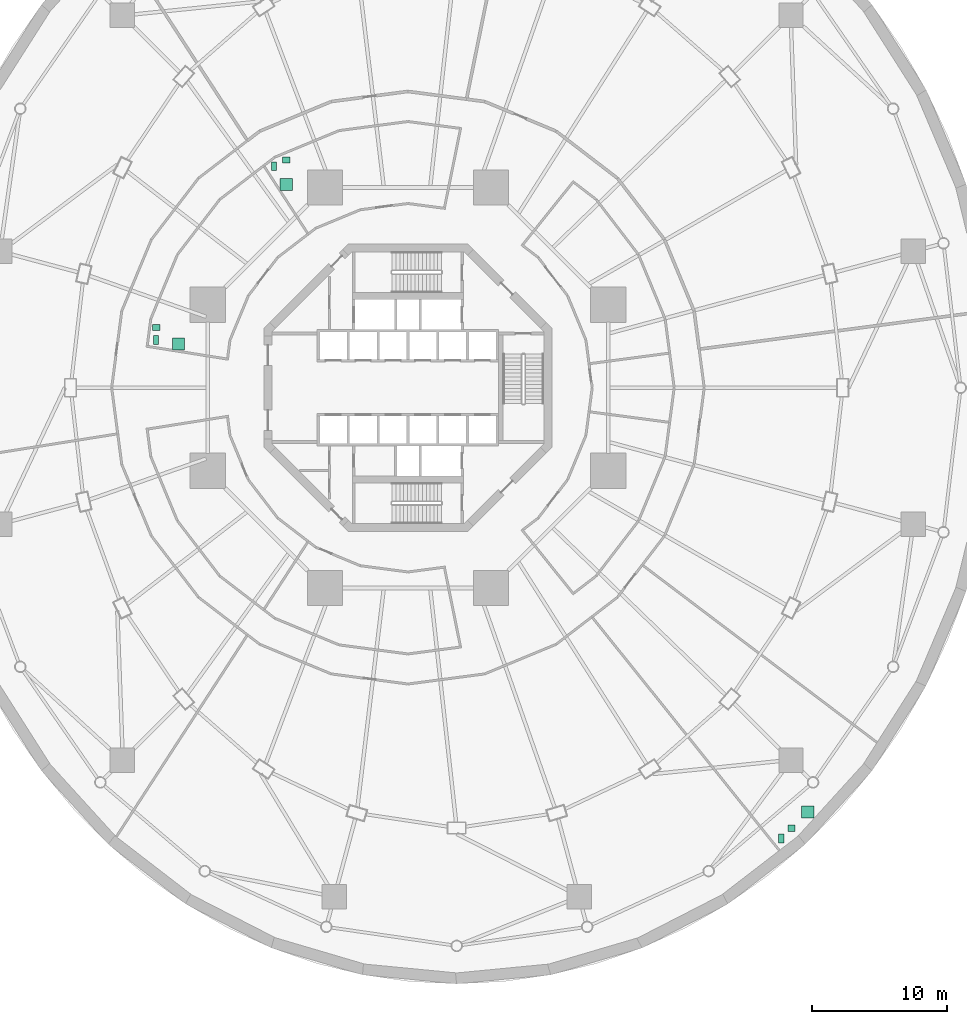
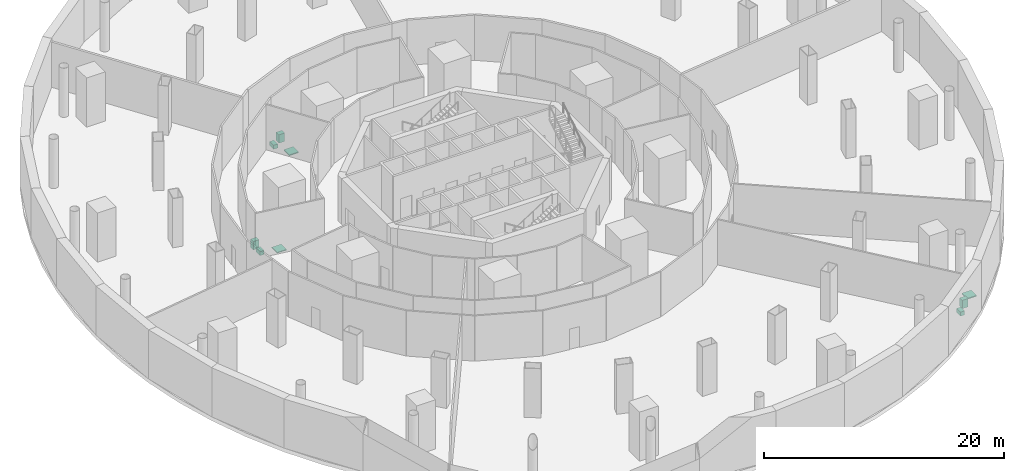
# One storey, part 14 of 14: 9 sanitary terminals.
"""IFC4 building model written with IfcOpenShell, lengths in metres."""

from ifc_helpers import new_model, si_unit, direction, frame, origin, origin_2d, place, context, subcontext, project, spatial, rectangle, extrude, material, type_object, element, save


model = new_model("IFC4")

# Units and contexts
model_context = context("Model", 3, precision=1e-05, world=origin(), true_north=direction((0.0, 1.0)))
body_context = subcontext(model_context, "Body", "Model", "MODEL_VIEW")
ifc_project = project(units=[si_unit("LENGTHUNIT", "METRE"), si_unit("AREAUNIT", "SQUARE_METRE"), si_unit("VOLUMEUNIT", "CUBIC_METRE"), si_unit("PLANEANGLEUNIT", "RADIAN"), si_unit("MASSUNIT", "GRAM", prefix="KILO")], contexts=[model_context])

# Site, building, storey
site_placement = place(None, origin())
site = spatial("IfcSite", under=ifc_project, at=site_placement, CompositionType="ELEMENT")
building_placement = place(site_placement, origin())
building = spatial("IfcBuilding", under=site, at=building_placement, Name="Nagisa Residences", CompositionType="ELEMENT")
storey_placement = place(building_placement, frame((0.0, 0.0, -5.0)))
storey = spatial("IfcBuildingStorey", under=building, at=storey_placement, Name="B1", CompositionType="ELEMENT", Elevation=-5.0)

# Sanitary terminals
ifc_material_1 = material(Name="Acrylic")
sanitary_terminal_type_1 = type_object("IfcSanitaryTerminalType", Name="Shower tray", PredefinedType="SHOWER", material=ifc_material_1)
for number, where, z_axis, x_axis, name in (
    (1, (-8.989990234375, 14.9970703125, 0.0), (0.0, 0.0, 1.0), (1.0, 0.0, 0.0), "fix:B1:r2:shower"),
    (2, (-16.946044921875, 3.23193359375, 0.0), (0.0, 0.0, 1.0), (1.0, 0.0, 0.0), "fix:B1:r3:shower"),
    (3, (29.513916015625, -31.321044921875, 0.0), (0.0, 0.0, 1.0), (1.0, 0.0, 0.0), "fix:B1:o5:shower"),
):
    element("IfcSanitaryTerminal", number, at=place(storey_placement, frame(where, z_axis=z_axis, x_axis=x_axis)), inside=storey, type_object=sanitary_terminal_type_1, Name=name, PredefinedType="SHOWER", context=body_context, shape_type="SweptSolid", body=[
        extrude(rectangle(XDim=0.89990234375, YDim=0.89990234375, at=origin_2d()), origin(), (0.0, 0.0, 1.0), 0.10009765625),
    ])
ifc_material_2 = material(Name="Vitreous china")
sanitary_terminal_type_2 = type_object("IfcSanitaryTerminalType", Name="WC pan", PredefinedType="WCSEAT", material=ifc_material_2)
for number, where, z_axis, x_axis, name in (
    (4, (-9.889892578125, 16.346923828125, 0.0), (0.0, 0.0, 1.0), (1.0, 0.0, 0.0), "fix:B1:r2:wc"),
    (5, (-18.595947265625, 3.531982421875, 0.0), (0.0, 0.0, 1.0), (1.0, 0.0, 0.0), "fix:B1:r3:wc"),
    (6, (27.56396484375, -33.27099609375, 0.0), (0.0, 0.0, 1.0), (1.0, 0.0, 0.0), "fix:B1:o5:wc"),
):
    element("IfcSanitaryTerminal", number, at=place(storey_placement, frame(where, z_axis=z_axis, x_axis=x_axis)), inside=storey, type_object=sanitary_terminal_type_2, Name=name, PredefinedType="WCSEAT", context=body_context, shape_type="SweptSolid", body=[
        extrude(rectangle(XDim=0.39990234375, YDim=0.64990234375, at=origin_2d()), origin(), (0.0, 0.0, 1.0), 0.39990234375),
    ])
ifc_material_3 = material(Name="Vitreous china")
sanitary_terminal_type_3 = type_object("IfcSanitaryTerminalType", Name="Wash basin", PredefinedType="WASHHANDBASIN", material=ifc_material_3)
for number, where, z_axis, x_axis, name in (
    (7, (-8.989990234375, 16.797119140625, 0.0), (0.0, 0.0, 1.0), (1.0, 0.0, 0.0), "fix:B1:r2:basin"),
    (8, (-18.595947265625, 4.431884765625, 0.0), (0.0, 0.0, 1.0), (1.0, 0.0, 0.0), "fix:B1:r3:basin"),
    (9, (28.31396484375, -32.52099609375, 0.0), (0.0, 0.0, 1.0), (1.0, 0.0, 0.0), "fix:B1:o5:basin"),
):
    element("IfcSanitaryTerminal", number, at=place(storey_placement, frame(where, z_axis=z_axis, x_axis=x_axis)), inside=storey, type_object=sanitary_terminal_type_3, Name=name, PredefinedType="WASHHANDBASIN", context=body_context, shape_type="SweptSolid", body=[
        extrude(rectangle(XDim=0.550048828125, YDim=0.449951171875, at=origin_2d()), origin(), (0.0, 0.0, 1.0), 0.85009765625),
    ])

save(model, "model.ifc")
